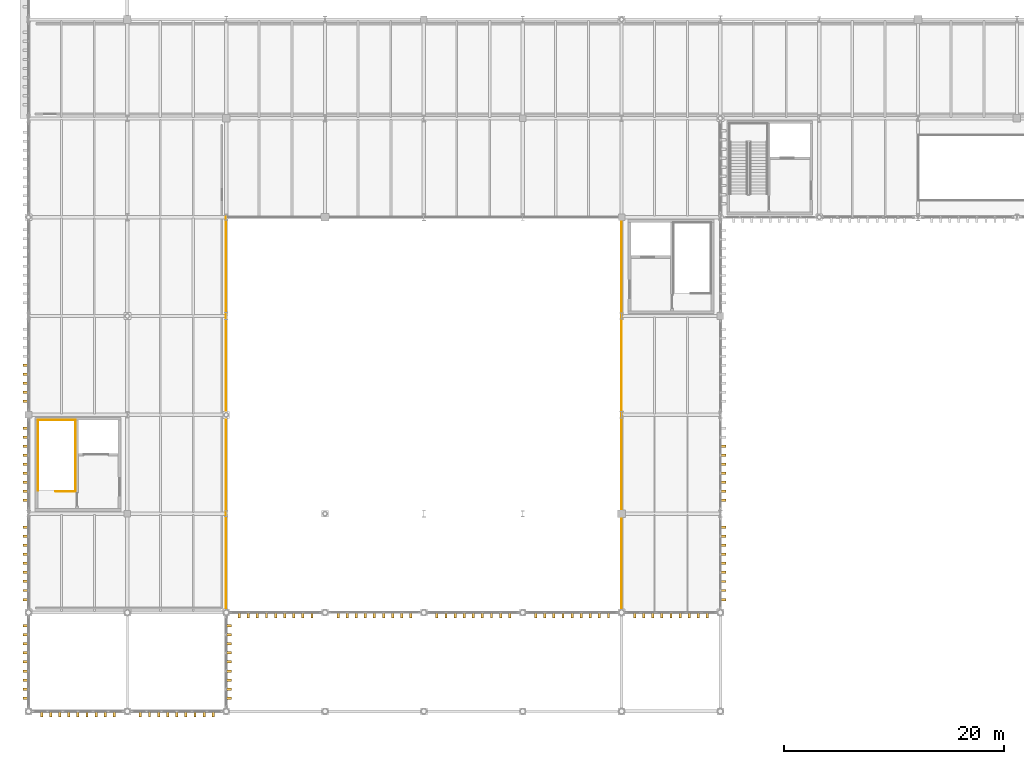
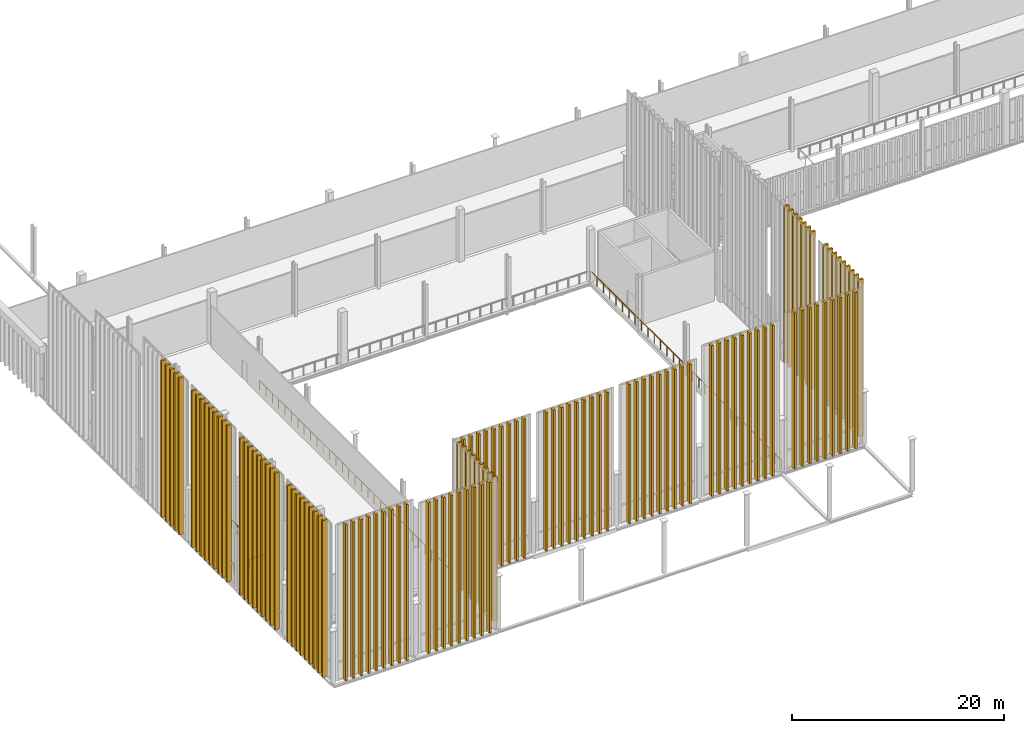
# One storey, part 213 of 237: 120 shading devices, 6 railings.
"""IFC4 building model written with IfcOpenShell, lengths in metres."""

from ifc_helpers import new_model, si_unit, direction, frame, origin, origin_2d, place, context, subcontext, project, spatial, rectangle, circle, extrude, material, type_object, element, save


model = new_model("IFC4")

# Units and contexts
model_context = context("Model", 3, precision=1e-05, world=origin(), true_north=direction((0.0, 1.0)))
body_context = subcontext(model_context, "Body", "Model", "MODEL_VIEW")
ifc_project = project(units=[si_unit("LENGTHUNIT", "METRE"), si_unit("AREAUNIT", "SQUARE_METRE"), si_unit("VOLUMEUNIT", "CUBIC_METRE"), si_unit("PLANEANGLEUNIT", "RADIAN"), si_unit("MASSUNIT", "GRAM", prefix="KILO")], contexts=[model_context])

# Site, building, storey
site_placement = place(None, origin())
site = spatial("IfcSite", under=ifc_project, at=site_placement, CompositionType="ELEMENT")
building_placement = place(site_placement, origin())
building = spatial("IfcBuilding", under=site, at=building_placement, Name="Barlavento Convention Centre", CompositionType="ELEMENT")
storey_placement = place(building_placement, frame((0.0, 0.0, 12.0)))
storey = spatial("IfcBuildingStorey", under=building, at=storey_placement, Name="L02", CompositionType="ELEMENT", Elevation=12.0)

# Railings
ifc_material_1 = material(Name="Stainless steel and laminated glass balustrade", Category="steel")
railing_type = type_object("IfcRailingType", Name="ARC-RAL-BAL-1100", PredefinedType="BALUSTRADE", material=ifc_material_1)
railing_1_placement = place(storey_placement, frame((4.2900390625, 20.0400390625, 0.0)))
element("IfcRailing", 1, at=railing_1_placement, inside=storey, type_object=railing_type, Name="L02 ST01 top well guard 1", PredefinedType="BALUSTRADE", context=body_context, shape_type="SweptSolid", body=[
    extrude(circle(Radius=0.02392578125, at=origin_2d()), frame((0.0, 0.0, 1.076171875), z_axis=(-1.0, 0.0, 0.0), x_axis=(0.0, -1.0, 0.0)), (0.0, 0.0, 1.0), 1.820068359375),
    extrude(circle(Radius=0.02099609375, at=origin_2d()), origin(), (0.0, 0.0, 1.0), 1.052001953125),
    extrude(circle(Radius=0.02099609375, at=origin_2d()), frame((-0.91015625, 0.0, 0.0)), (0.0, 0.0, 1.0), 1.052001953125),
    extrude(circle(Radius=0.02099609375, at=origin_2d()), frame((-1.820068359375, 0.0, 0.0)), (0.0, 0.0, 1.0), 1.052001953125),
])
railing_2_placement = place(storey_placement, frame((4.2900390625, 20.114990234375, 0.0)))
element("IfcRailing", 2, at=railing_2_placement, inside=storey, type_object=railing_type, Name="L02 stairwell perimeter guard GR01", PredefinedType="BALUSTRADE", context=body_context, shape_type="SweptSolid", body=[
    extrude(circle(Radius=0.02392578125, at=origin_2d()), frame((0.0, 0.0, 1.076171875), z_axis=(0.0, 1.0, 0.0), x_axis=(-1.0, 0.0, 0.0)), (0.0, 0.0, 1.0), 6.4150390625),
    extrude(circle(Radius=0.02099609375, at=origin_2d()), origin(), (0.0, 0.0, 1.0), 1.052001953125),
    extrude(circle(Radius=0.02099609375, at=origin_2d()), frame((0.0, 1.069091796875, 0.0)), (0.0, 0.0, 1.0), 1.052001953125),
    extrude(circle(Radius=0.02099609375, at=origin_2d()), frame((0.0, 2.138427734375, 0.0)), (0.0, 0.0, 1.0), 1.052001953125),
    extrude(circle(Radius=0.02099609375, at=origin_2d()), frame((0.0, 3.20751953125, 0.0)), (0.0, 0.0, 1.0), 1.052001953125),
    extrude(circle(Radius=0.02099609375, at=origin_2d()), frame((0.0, 4.276611328125, 0.0)), (0.0, 0.0, 1.0), 1.052001953125),
    extrude(circle(Radius=0.02099609375, at=origin_2d()), frame((0.0, 5.345947265625, 0.0)), (0.0, 0.0, 1.0), 1.052001953125),
    extrude(circle(Radius=0.02099609375, at=origin_2d()), frame((0.0, 6.4150390625, 0.0)), (0.0, 0.0, 1.0), 1.052001953125),
])
railing_3_placement = place(storey_placement, frame((4.2900390625, 26.530029296875, 0.0)))
element("IfcRailing", 3, at=railing_3_placement, inside=storey, type_object=railing_type, Name="L02 stairwell perimeter guard GR01", PredefinedType="BALUSTRADE", context=body_context, shape_type="SweptSolid", body=[
    extrude(circle(Radius=0.02392578125, at=origin_2d()), frame((0.0, 0.0, 1.076171875), z_axis=(-1.0, 0.0, 0.0), x_axis=(0.0, -1.0, 0.0)), (0.0, 0.0, 1.0), 3.43994140625),
    extrude(circle(Radius=0.02099609375, at=origin_2d()), origin(), (0.0, 0.0, 1.0), 1.052001953125),
    extrude(circle(Radius=0.02099609375, at=origin_2d()), frame((-1.146728515625, 0.0, 0.0)), (0.0, 0.0, 1.0), 1.052001953125),
    extrude(circle(Radius=0.02099609375, at=origin_2d()), frame((-2.293212890625, 0.0, 0.0)), (0.0, 0.0, 1.0), 1.052001953125),
    extrude(circle(Radius=0.02099609375, at=origin_2d()), frame((-3.43994140625, 0.0, 0.0)), (0.0, 0.0, 1.0), 1.052001953125),
])
railing_4_placement = place(storey_placement, frame((0.85009765625, 26.530029296875, 0.0)))
element("IfcRailing", 4, at=railing_4_placement, inside=storey, type_object=railing_type, Name="L02 stairwell perimeter guard GR01", PredefinedType="BALUSTRADE", context=body_context, shape_type="SweptSolid", body=[
    extrude(circle(Radius=0.02392578125, at=origin_2d()), frame((0.0, 0.0, 1.076171875), z_axis=(0.0, -1.0, 0.0), x_axis=(1.0, 0.0, 0.0)), (0.0, 0.0, 1.0), 6.4150390625),
    extrude(circle(Radius=0.02099609375, at=origin_2d()), origin(), (0.0, 0.0, 1.0), 1.052001953125),
    extrude(circle(Radius=0.02099609375, at=origin_2d()), frame((0.0, -1.069091796875, 0.0)), (0.0, 0.0, 1.0), 1.052001953125),
    extrude(circle(Radius=0.02099609375, at=origin_2d()), frame((0.0, -2.138427734375, 0.0)), (0.0, 0.0, 1.0), 1.052001953125),
    extrude(circle(Radius=0.02099609375, at=origin_2d()), frame((0.0, -3.20751953125, 0.0)), (0.0, 0.0, 1.0), 1.052001953125),
    extrude(circle(Radius=0.02099609375, at=origin_2d()), frame((0.0, -4.276611328125, 0.0)), (0.0, 0.0, 1.0), 1.052001953125),
    extrude(circle(Radius=0.02099609375, at=origin_2d()), frame((0.0, -5.345947265625, 0.0)), (0.0, 0.0, 1.0), 1.052001953125),
    extrude(circle(Radius=0.02099609375, at=origin_2d()), frame((0.0, -6.4150390625, 0.0)), (0.0, 0.0, 1.0), 1.052001953125),
])
railing_5_placement = place(storey_placement, frame((18.0, 9.050048828125, 0.0)))
element("IfcRailing", 5, at=railing_5_placement, inside=storey, type_object=railing_type, Name="L02 interior atrium or gallery balustrade GR01", PredefinedType="BALUSTRADE", context=body_context, shape_type="SweptSolid", body=[
    extrude(circle(Radius=0.02392578125, at=origin_2d()), frame((0.0, 0.0, 1.076171875), z_axis=(0.0, 1.0, 0.0), x_axis=(-1.0, 0.0, 0.0)), (0.0, 0.0, 1.0), 35.949951171875),
    extrude(circle(Radius=0.02099609375, at=origin_2d()), origin(), (0.0, 0.0, 1.0), 1.052001953125),
    extrude(circle(Radius=0.02099609375, at=origin_2d()), frame((0.0, 1.1982421875, 0.0)), (0.0, 0.0, 1.0), 1.052001953125),
    extrude(circle(Radius=0.02099609375, at=origin_2d()), frame((0.0, 2.396728515625, 0.0)), (0.0, 0.0, 1.0), 1.052001953125),
    extrude(circle(Radius=0.02099609375, at=origin_2d()), frame((0.0, 3.594970703125, 0.0)), (0.0, 0.0, 1.0), 1.052001953125),
    extrude(circle(Radius=0.02099609375, at=origin_2d()), frame((0.0, 4.793212890625, 0.0)), (0.0, 0.0, 1.0), 1.052001953125),
    extrude(circle(Radius=0.02099609375, at=origin_2d()), frame((0.0, 5.99169921875, 0.0)), (0.0, 0.0, 1.0), 1.052001953125),
    extrude(circle(Radius=0.02099609375, at=origin_2d()), frame((0.0, 7.18994140625, 0.0)), (0.0, 0.0, 1.0), 1.052001953125),
    extrude(circle(Radius=0.02099609375, at=origin_2d()), frame((0.0, 8.388427734375, 0.0)), (0.0, 0.0, 1.0), 1.052001953125),
    extrude(circle(Radius=0.02099609375, at=origin_2d()), frame((0.0, 9.586669921875, 0.0)), (0.0, 0.0, 1.0), 1.052001953125),
    extrude(circle(Radius=0.02099609375, at=origin_2d()), frame((0.0, 10.784912109375, 0.0)), (0.0, 0.0, 1.0), 1.052001953125),
    extrude(circle(Radius=0.02099609375, at=origin_2d()), frame((0.0, 11.9833984375, 0.0)), (0.0, 0.0, 1.0), 1.052001953125),
    extrude(circle(Radius=0.02099609375, at=origin_2d()), frame((0.0, 13.181640625, 0.0)), (0.0, 0.0, 1.0), 1.052001953125),
    extrude(circle(Radius=0.02099609375, at=origin_2d()), frame((0.0, 14.3798828125, 0.0)), (0.0, 0.0, 1.0), 1.052001953125),
    extrude(circle(Radius=0.02099609375, at=origin_2d()), frame((0.0, 15.578369140625, 0.0)), (0.0, 0.0, 1.0), 1.052001953125),
    extrude(circle(Radius=0.02099609375, at=origin_2d()), frame((0.0, 16.776611328125, 0.0)), (0.0, 0.0, 1.0), 1.052001953125),
    extrude(circle(Radius=0.02099609375, at=origin_2d()), frame((0.0, 17.97509765625, 0.0)), (0.0, 0.0, 1.0), 1.052001953125),
    extrude(circle(Radius=0.02099609375, at=origin_2d()), frame((0.0, 19.17333984375, 0.0)), (0.0, 0.0, 1.0), 1.052001953125),
    extrude(circle(Radius=0.02099609375, at=origin_2d()), frame((0.0, 20.37158203125, 0.0)), (0.0, 0.0, 1.0), 1.052001953125),
    extrude(circle(Radius=0.02099609375, at=origin_2d()), frame((0.0, 21.570068359375, 0.0)), (0.0, 0.0, 1.0), 1.052001953125),
    extrude(circle(Radius=0.02099609375, at=origin_2d()), frame((0.0, 22.768310546875, 0.0)), (0.0, 0.0, 1.0), 1.052001953125),
    extrude(circle(Radius=0.02099609375, at=origin_2d()), frame((0.0, 23.966552734375, 0.0)), (0.0, 0.0, 1.0), 1.052001953125),
    extrude(circle(Radius=0.02099609375, at=origin_2d()), frame((0.0, 25.1650390625, 0.0)), (0.0, 0.0, 1.0), 1.052001953125),
    extrude(circle(Radius=0.02099609375, at=origin_2d()), frame((0.0, 26.36328125, 0.0)), (0.0, 0.0, 1.0), 1.052001953125),
    extrude(circle(Radius=0.02099609375, at=origin_2d()), frame((0.0, 27.5615234375, 0.0)), (0.0, 0.0, 1.0), 1.052001953125),
    extrude(circle(Radius=0.02099609375, at=origin_2d()), frame((0.0, 28.760009765625, 0.0)), (0.0, 0.0, 1.0), 1.052001953125),
    extrude(circle(Radius=0.02099609375, at=origin_2d()), frame((0.0, 29.958251953125, 0.0)), (0.0, 0.0, 1.0), 1.052001953125),
    extrude(circle(Radius=0.02099609375, at=origin_2d()), frame((0.0, 31.15673828125, 0.0)), (0.0, 0.0, 1.0), 1.052001953125),
    extrude(circle(Radius=0.02099609375, at=origin_2d()), frame((0.0, 32.35498046875, 0.0)), (0.0, 0.0, 1.0), 1.052001953125),
    extrude(circle(Radius=0.02099609375, at=origin_2d()), frame((0.0, 33.55322265625, 0.0)), (0.0, 0.0, 1.0), 1.052001953125),
    extrude(circle(Radius=0.02099609375, at=origin_2d()), frame((0.0, 34.751708984375, 0.0)), (0.0, 0.0, 1.0), 1.052001953125),
    extrude(circle(Radius=0.02099609375, at=origin_2d()), frame((0.0, 35.949951171875, 0.0)), (0.0, 0.0, 1.0), 1.052001953125),
])
railing_6_placement = place(storey_placement, frame((54.0, 45.0, 0.0)))
element("IfcRailing", 6, at=railing_6_placement, inside=storey, type_object=railing_type, Name="L02 interior atrium or gallery balustrade GR01", PredefinedType="BALUSTRADE", context=body_context, shape_type="SweptSolid", body=[
    extrude(circle(Radius=0.02392578125, at=origin_2d()), frame((0.0, 0.0, 1.076171875), z_axis=(0.0, -1.0, 0.0), x_axis=(1.0, 0.0, 0.0)), (0.0, 0.0, 1.0), 35.949951171875),
    extrude(circle(Radius=0.02099609375, at=origin_2d()), origin(), (0.0, 0.0, 1.0), 1.052001953125),
    extrude(circle(Radius=0.02099609375, at=origin_2d()), frame((0.0, -1.1982421875, 0.0)), (0.0, 0.0, 1.0), 1.052001953125),
    extrude(circle(Radius=0.02099609375, at=origin_2d()), frame((0.0, -2.396728515625, 0.0)), (0.0, 0.0, 1.0), 1.052001953125),
    extrude(circle(Radius=0.02099609375, at=origin_2d()), frame((0.0, -3.594970703125, 0.0)), (0.0, 0.0, 1.0), 1.052001953125),
    extrude(circle(Radius=0.02099609375, at=origin_2d()), frame((0.0, -4.793212890625, 0.0)), (0.0, 0.0, 1.0), 1.052001953125),
    extrude(circle(Radius=0.02099609375, at=origin_2d()), frame((0.0, -5.99169921875, 0.0)), (0.0, 0.0, 1.0), 1.052001953125),
    extrude(circle(Radius=0.02099609375, at=origin_2d()), frame((0.0, -7.18994140625, 0.0)), (0.0, 0.0, 1.0), 1.052001953125),
    extrude(circle(Radius=0.02099609375, at=origin_2d()), frame((0.0, -8.388427734375, 0.0)), (0.0, 0.0, 1.0), 1.052001953125),
    extrude(circle(Radius=0.02099609375, at=origin_2d()), frame((0.0, -9.586669921875, 0.0)), (0.0, 0.0, 1.0), 1.052001953125),
    extrude(circle(Radius=0.02099609375, at=origin_2d()), frame((0.0, -10.784912109375, 0.0)), (0.0, 0.0, 1.0), 1.052001953125),
    extrude(circle(Radius=0.02099609375, at=origin_2d()), frame((0.0, -11.9833984375, 0.0)), (0.0, 0.0, 1.0), 1.052001953125),
    extrude(circle(Radius=0.02099609375, at=origin_2d()), frame((0.0, -13.181640625, 0.0)), (0.0, 0.0, 1.0), 1.052001953125),
    extrude(circle(Radius=0.02099609375, at=origin_2d()), frame((0.0, -14.3798828125, 0.0)), (0.0, 0.0, 1.0), 1.052001953125),
    extrude(circle(Radius=0.02099609375, at=origin_2d()), frame((0.0, -15.578369140625, 0.0)), (0.0, 0.0, 1.0), 1.052001953125),
    extrude(circle(Radius=0.02099609375, at=origin_2d()), frame((0.0, -16.776611328125, 0.0)), (0.0, 0.0, 1.0), 1.052001953125),
    extrude(circle(Radius=0.02099609375, at=origin_2d()), frame((0.0, -17.97509765625, 0.0)), (0.0, 0.0, 1.0), 1.052001953125),
    extrude(circle(Radius=0.02099609375, at=origin_2d()), frame((0.0, -19.17333984375, 0.0)), (0.0, 0.0, 1.0), 1.052001953125),
    extrude(circle(Radius=0.02099609375, at=origin_2d()), frame((0.0, -20.37158203125, 0.0)), (0.0, 0.0, 1.0), 1.052001953125),
    extrude(circle(Radius=0.02099609375, at=origin_2d()), frame((0.0, -21.570068359375, 0.0)), (0.0, 0.0, 1.0), 1.052001953125),
    extrude(circle(Radius=0.02099609375, at=origin_2d()), frame((0.0, -22.768310546875, 0.0)), (0.0, 0.0, 1.0), 1.052001953125),
    extrude(circle(Radius=0.02099609375, at=origin_2d()), frame((0.0, -23.966552734375, 0.0)), (0.0, 0.0, 1.0), 1.052001953125),
    extrude(circle(Radius=0.02099609375, at=origin_2d()), frame((0.0, -25.1650390625, 0.0)), (0.0, 0.0, 1.0), 1.052001953125),
    extrude(circle(Radius=0.02099609375, at=origin_2d()), frame((0.0, -26.36328125, 0.0)), (0.0, 0.0, 1.0), 1.052001953125),
    extrude(circle(Radius=0.02099609375, at=origin_2d()), frame((0.0, -27.5615234375, 0.0)), (0.0, 0.0, 1.0), 1.052001953125),
    extrude(circle(Radius=0.02099609375, at=origin_2d()), frame((0.0, -28.760009765625, 0.0)), (0.0, 0.0, 1.0), 1.052001953125),
    extrude(circle(Radius=0.02099609375, at=origin_2d()), frame((0.0, -29.958251953125, 0.0)), (0.0, 0.0, 1.0), 1.052001953125),
    extrude(circle(Radius=0.02099609375, at=origin_2d()), frame((0.0, -31.15673828125, 0.0)), (0.0, 0.0, 1.0), 1.052001953125),
    extrude(circle(Radius=0.02099609375, at=origin_2d()), frame((0.0, -32.35498046875, 0.0)), (0.0, 0.0, 1.0), 1.052001953125),
    extrude(circle(Radius=0.02099609375, at=origin_2d()), frame((0.0, -33.55322265625, 0.0)), (0.0, 0.0, 1.0), 1.052001953125),
    extrude(circle(Radius=0.02099609375, at=origin_2d()), frame((0.0, -34.751708984375, 0.0)), (0.0, 0.0, 1.0), 1.052001953125),
    extrude(circle(Radius=0.02099609375, at=origin_2d()), frame((0.0, -35.949951171875, 0.0)), (0.0, 0.0, 1.0), 1.052001953125),
])

# Shading devices
ifc_material_2 = material(Name="PVDF white extruded aluminium", Category="aluminium")
shading_device_type = type_object("IfcShadingDeviceType", Name="ARC-SHD-FIN-480", PredefinedType="USERDEFINED", material=ifc_material_2)
for number, where, z_axis, x_axis, name in (
    (7, (1.187255859375, -0.239990234375, 0.0), (0.0, 0.0, 1.0), (1.0, 0.0, 0.0), "White vertical solar shading fin VF01"),
    (8, (2.015380859375, -0.239990234375, 0.0), (0.0, 0.0, 1.0), (1.0, 0.0, 0.0), "White vertical solar shading fin VF01"),
    (9, (2.843505859375, -0.239990234375, 0.0), (0.0, 0.0, 1.0), (1.0, 0.0, 0.0), "White vertical solar shading fin VF01"),
    (10, (3.671875, -0.239990234375, 0.0), (0.0, 0.0, 1.0), (1.0, 0.0, 0.0), "White vertical solar shading fin VF01"),
    (11, (4.5, -0.239990234375, 0.0), (0.0, 0.0, 1.0), (1.0, 0.0, 0.0), "White vertical solar shading fin VF01"),
    (12, (5.328125, -0.239990234375, 0.0), (0.0, 0.0, 1.0), (1.0, 0.0, 0.0), "White vertical solar shading fin VF01"),
    (13, (6.156494140625, -0.239990234375, 0.0), (0.0, 0.0, 1.0), (1.0, 0.0, 0.0), "White vertical solar shading fin VF01"),
    (14, (6.984619140625, -0.239990234375, 0.0), (0.0, 0.0, 1.0), (1.0, 0.0, 0.0), "White vertical solar shading fin VF01"),
    (15, (7.812744140625, -0.239990234375, 0.0), (0.0, 0.0, 1.0), (1.0, 0.0, 0.0), "White vertical solar shading fin VF01"),
):
    element("IfcShadingDevice", number, at=place(storey_placement, frame(where, z_axis=z_axis, x_axis=x_axis)), inside=storey, type_object=shading_device_type, Name=name, ObjectType="FIN", PredefinedType="USERDEFINED", context=body_context, shape_type="SweptSolid", body=[
        extrude(rectangle(XDim=0.219970703125, YDim=0.52001953125, at=origin_2d()), origin(), (0.0, 0.0, 1.0), 17.971923828125),
    ])
for number, where, z_axis, x_axis, name in (
    (16, (10.187255859375, -0.239990234375, 0.0), (0.0, 0.0, 1.0), (1.0, 0.0, 0.0), "White vertical solar shading fin VF01"),
    (17, (11.015380859375, -0.239990234375, 0.0), (0.0, 0.0, 1.0), (1.0, 0.0, 0.0), "White vertical solar shading fin VF01"),
    (18, (11.843505859375, -0.239990234375, 0.0), (0.0, 0.0, 1.0), (1.0, 0.0, 0.0), "White vertical solar shading fin VF01"),
    (19, (12.671875, -0.239990234375, 0.0), (0.0, 0.0, 1.0), (1.0, 0.0, 0.0), "White vertical solar shading fin VF01"),
    (20, (13.5, -0.239990234375, 0.0), (0.0, 0.0, 1.0), (1.0, 0.0, 0.0), "White vertical solar shading fin VF01"),
    (21, (14.328125, -0.239990234375, 0.0), (0.0, 0.0, 1.0), (1.0, 0.0, 0.0), "White vertical solar shading fin VF01"),
    (22, (15.156494140625, -0.239990234375, 0.0), (0.0, 0.0, 1.0), (1.0, 0.0, 0.0), "White vertical solar shading fin VF01"),
    (23, (15.984619140625, -0.239990234375, 0.0), (0.0, 0.0, 1.0), (1.0, 0.0, 0.0), "White vertical solar shading fin VF01"),
    (24, (16.812744140625, -0.239990234375, 0.0), (0.0, 0.0, 1.0), (1.0, 0.0, 0.0), "White vertical solar shading fin VF01"),
):
    element("IfcShadingDevice", number, at=place(storey_placement, frame(where, z_axis=z_axis, x_axis=x_axis)), inside=storey, type_object=shading_device_type, Name=name, ObjectType="FIN", PredefinedType="USERDEFINED", context=body_context, shape_type="SweptSolid", body=[
        extrude(rectangle(XDim=0.219970703125, YDim=0.52001953125, at=origin_2d()), origin(), (0.0, 0.0, 1.0), 17.35400390625),
    ])
for number, where, z_axis, x_axis, name in (
    (25, (55.187255859375, 8.760009765625, 0.0), (0.0, 0.0, 1.0), (1.0, 0.0, 0.0), "White vertical solar shading fin VF01"),
    (26, (56.015380859375, 8.760009765625, 0.0), (0.0, 0.0, 1.0), (1.0, 0.0, 0.0), "White vertical solar shading fin VF01"),
    (27, (56.843505859375, 8.760009765625, 0.0), (0.0, 0.0, 1.0), (1.0, 0.0, 0.0), "White vertical solar shading fin VF01"),
    (28, (57.671875, 8.760009765625, 0.0), (0.0, 0.0, 1.0), (1.0, 0.0, 0.0), "White vertical solar shading fin VF01"),
    (29, (58.5, 8.760009765625, 0.0), (0.0, 0.0, 1.0), (1.0, 0.0, 0.0), "White vertical solar shading fin VF01"),
    (30, (59.328125, 8.760009765625, 0.0), (0.0, 0.0, 1.0), (1.0, 0.0, 0.0), "White vertical solar shading fin VF01"),
    (31, (60.156494140625, 8.760009765625, 0.0), (0.0, 0.0, 1.0), (1.0, 0.0, 0.0), "White vertical solar shading fin VF01"),
    (32, (60.984619140625, 8.760009765625, 0.0), (0.0, 0.0, 1.0), (1.0, 0.0, 0.0), "White vertical solar shading fin VF01"),
    (33, (61.812744140625, 8.760009765625, 0.0), (0.0, 0.0, 1.0), (1.0, 0.0, 0.0), "White vertical solar shading fin VF01"),
):
    element("IfcShadingDevice", number, at=place(storey_placement, frame(where, z_axis=z_axis, x_axis=x_axis)), inside=storey, type_object=shading_device_type, Name=name, ObjectType="FIN", PredefinedType="USERDEFINED", context=body_context, shape_type="SweptSolid", body=[
        extrude(rectangle(XDim=0.219970703125, YDim=0.52001953125, at=origin_2d()), origin(), (0.0, 0.0, 1.0), 17.971923828125),
    ])
for number, where, z_axis, x_axis, name in (
    (34, (-0.239990234375, 10.1826171875, 0.0), (0.0, 0.0, 1.0), (0.0, 1.0, 0.0), "White vertical solar shading fin VF01"),
    (35, (-0.239990234375, 11.006103515625, 0.0), (0.0, 0.0, 1.0), (0.0, 1.0, 0.0), "White vertical solar shading fin VF01"),
    (36, (-0.239990234375, 11.829833984375, 0.0), (0.0, 0.0, 1.0), (0.0, 1.0, 0.0), "White vertical solar shading fin VF01"),
    (37, (-0.239990234375, 12.6533203125, 0.0), (0.0, 0.0, 1.0), (0.0, 1.0, 0.0), "White vertical solar shading fin VF01"),
    (38, (-0.239990234375, 13.47705078125, 0.0), (0.0, 0.0, 1.0), (0.0, 1.0, 0.0), "White vertical solar shading fin VF01"),
    (39, (-0.239990234375, 14.300537109375, 0.0), (0.0, 0.0, 1.0), (0.0, 1.0, 0.0), "White vertical solar shading fin VF01"),
    (40, (-0.239990234375, 15.124267578125, 0.0), (0.0, 0.0, 1.0), (0.0, 1.0, 0.0), "White vertical solar shading fin VF01"),
    (41, (-0.239990234375, 15.94775390625, 0.0), (0.0, 0.0, 1.0), (0.0, 1.0, 0.0), "White vertical solar shading fin VF01"),
    (42, (-0.239990234375, 16.771484375, 0.0), (0.0, 0.0, 1.0), (0.0, 1.0, 0.0), "White vertical solar shading fin VF01"),
    (43, (-0.239990234375, 19.22412109375, 0.0), (0.0, 0.0, 1.0), (0.0, 1.0, 0.0), "White vertical solar shading fin VF01"),
    (44, (-0.239990234375, 20.04296875, 0.0), (0.0, 0.0, 1.0), (0.0, 1.0, 0.0), "White vertical solar shading fin VF01"),
    (45, (-0.239990234375, 20.862060546875, 0.0), (0.0, 0.0, 1.0), (0.0, 1.0, 0.0), "White vertical solar shading fin VF01"),
    (46, (-0.239990234375, 21.680908203125, 0.0), (0.0, 0.0, 1.0), (0.0, 1.0, 0.0), "White vertical solar shading fin VF01"),
    (47, (-0.239990234375, 22.5, 0.0), (0.0, 0.0, 1.0), (0.0, 1.0, 0.0), "White vertical solar shading fin VF01"),
    (48, (-0.239990234375, 23.319091796875, 0.0), (0.0, 0.0, 1.0), (0.0, 1.0, 0.0), "White vertical solar shading fin VF01"),
    (49, (-0.239990234375, 24.137939453125, 0.0), (0.0, 0.0, 1.0), (0.0, 1.0, 0.0), "White vertical solar shading fin VF01"),
    (50, (-0.239990234375, 24.95703125, 0.0), (0.0, 0.0, 1.0), (0.0, 1.0, 0.0), "White vertical solar shading fin VF01"),
    (51, (-0.239990234375, 25.77587890625, 0.0), (0.0, 0.0, 1.0), (0.0, 1.0, 0.0), "White vertical solar shading fin VF01"),
    (52, (-0.239990234375, 28.225341796875, 0.0), (0.0, 0.0, 1.0), (0.0, 1.0, 0.0), "White vertical solar shading fin VF01"),
    (53, (-0.239990234375, 29.0458984375, 0.0), (0.0, 0.0, 1.0), (0.0, 1.0, 0.0), "White vertical solar shading fin VF01"),
    (54, (-0.239990234375, 29.8662109375, 0.0), (0.0, 0.0, 1.0), (0.0, 1.0, 0.0), "White vertical solar shading fin VF01"),
    (55, (-0.239990234375, 30.6865234375, 0.0), (0.0, 0.0, 1.0), (0.0, 1.0, 0.0), "White vertical solar shading fin VF01"),
    (56, (-0.239990234375, 31.507080078125, 0.0), (0.0, 0.0, 1.0), (0.0, 1.0, 0.0), "White vertical solar shading fin VF01"),
    (57, (63.239990234375, 10.181640625, 0.0), (0.0, 0.0, 1.0), (0.0, 1.0, 0.0), "White vertical solar shading fin VF01"),
    (58, (63.239990234375, 11.004150390625, 0.0), (0.0, 0.0, 1.0), (0.0, 1.0, 0.0), "White vertical solar shading fin VF01"),
    (59, (63.239990234375, 11.826904296875, 0.0), (0.0, 0.0, 1.0), (0.0, 1.0, 0.0), "White vertical solar shading fin VF01"),
    (60, (63.239990234375, 12.6494140625, 0.0), (0.0, 0.0, 1.0), (0.0, 1.0, 0.0), "White vertical solar shading fin VF01"),
    (61, (63.239990234375, 13.471923828125, 0.0), (0.0, 0.0, 1.0), (0.0, 1.0, 0.0), "White vertical solar shading fin VF01"),
    (62, (63.239990234375, 14.294677734375, 0.0), (0.0, 0.0, 1.0), (0.0, 1.0, 0.0), "White vertical solar shading fin VF01"),
    (63, (63.239990234375, 15.1171875, 0.0), (0.0, 0.0, 1.0), (0.0, 1.0, 0.0), "White vertical solar shading fin VF01"),
    (64, (63.239990234375, 15.939697265625, 0.0), (0.0, 0.0, 1.0), (0.0, 1.0, 0.0), "White vertical solar shading fin VF01"),
    (65, (63.239990234375, 16.762451171875, 0.0), (0.0, 0.0, 1.0), (0.0, 1.0, 0.0), "White vertical solar shading fin VF01"),
    (66, (63.239990234375, 19.23291015625, 0.0), (0.0, 0.0, 1.0), (0.0, 1.0, 0.0), "White vertical solar shading fin VF01"),
    (67, (63.239990234375, 20.051025390625, 0.0), (0.0, 0.0, 1.0), (0.0, 1.0, 0.0), "White vertical solar shading fin VF01"),
    (68, (63.239990234375, 20.868896484375, 0.0), (0.0, 0.0, 1.0), (0.0, 1.0, 0.0), "White vertical solar shading fin VF01"),
    (69, (63.239990234375, 21.68701171875, 0.0), (0.0, 0.0, 1.0), (0.0, 1.0, 0.0), "White vertical solar shading fin VF01"),
    (70, (63.239990234375, 22.5048828125, 0.0), (0.0, 0.0, 1.0), (0.0, 1.0, 0.0), "White vertical solar shading fin VF01"),
    (71, (63.239990234375, 23.322998046875, 0.0), (0.0, 0.0, 1.0), (0.0, 1.0, 0.0), "White vertical solar shading fin VF01"),
    (72, (63.239990234375, 24.14111328125, 0.0), (0.0, 0.0, 1.0), (0.0, 1.0, 0.0), "White vertical solar shading fin VF01"),
):
    element("IfcShadingDevice", number, at=place(storey_placement, frame(where, z_axis=z_axis, x_axis=x_axis)), inside=storey, type_object=shading_device_type, Name=name, ObjectType="FIN", PredefinedType="USERDEFINED", context=body_context, shape_type="SweptSolid", body=[
        extrude(rectangle(XDim=0.219970703125, YDim=0.52001953125, at=origin_2d()), origin(), (0.0, 0.0, 1.0), 18.037109375),
    ])
for number, where, z_axis, x_axis, name in (
    (73, (19.187255859375, 8.760009765625, 0.0), (0.0, 0.0, 1.0), (1.0, 0.0, 0.0), "White vertical solar shading fin VF01"),
    (74, (20.015380859375, 8.760009765625, 0.0), (0.0, 0.0, 1.0), (1.0, 0.0, 0.0), "White vertical solar shading fin VF01"),
    (75, (20.843505859375, 8.760009765625, 0.0), (0.0, 0.0, 1.0), (1.0, 0.0, 0.0), "White vertical solar shading fin VF01"),
    (76, (21.671875, 8.760009765625, 0.0), (0.0, 0.0, 1.0), (1.0, 0.0, 0.0), "White vertical solar shading fin VF01"),
    (77, (22.5, 8.760009765625, 0.0), (0.0, 0.0, 1.0), (1.0, 0.0, 0.0), "White vertical solar shading fin VF01"),
    (78, (23.328125, 8.760009765625, 0.0), (0.0, 0.0, 1.0), (1.0, 0.0, 0.0), "White vertical solar shading fin VF01"),
    (79, (24.156494140625, 8.760009765625, 0.0), (0.0, 0.0, 1.0), (1.0, 0.0, 0.0), "White vertical solar shading fin VF01"),
    (80, (24.984619140625, 8.760009765625, 0.0), (0.0, 0.0, 1.0), (1.0, 0.0, 0.0), "White vertical solar shading fin VF01"),
    (81, (25.812744140625, 8.760009765625, 0.0), (0.0, 0.0, 1.0), (1.0, 0.0, 0.0), "White vertical solar shading fin VF01"),
):
    element("IfcShadingDevice", number, at=place(storey_placement, frame(where, z_axis=z_axis, x_axis=x_axis)), inside=storey, type_object=shading_device_type, Name=name, ObjectType="FIN", PredefinedType="USERDEFINED", context=body_context, shape_type="SweptSolid", body=[
        extrude(rectangle(XDim=0.219970703125, YDim=0.52001953125, at=origin_2d()), origin(), (0.0, 0.0, 1.0), 16.037109375),
    ])
for number, where, z_axis, x_axis, name in (
    (82, (28.187255859375, 8.760009765625, 0.0), (0.0, 0.0, 1.0), (1.0, 0.0, 0.0), "White vertical solar shading fin VF01"),
    (83, (29.015380859375, 8.760009765625, 0.0), (0.0, 0.0, 1.0), (1.0, 0.0, 0.0), "White vertical solar shading fin VF01"),
    (84, (29.843505859375, 8.760009765625, 0.0), (0.0, 0.0, 1.0), (1.0, 0.0, 0.0), "White vertical solar shading fin VF01"),
    (85, (30.671875, 8.760009765625, 0.0), (0.0, 0.0, 1.0), (1.0, 0.0, 0.0), "White vertical solar shading fin VF01"),
    (86, (31.5, 8.760009765625, 0.0), (0.0, 0.0, 1.0), (1.0, 0.0, 0.0), "White vertical solar shading fin VF01"),
    (87, (32.328125, 8.760009765625, 0.0), (0.0, 0.0, 1.0), (1.0, 0.0, 0.0), "White vertical solar shading fin VF01"),
    (88, (33.156494140625, 8.760009765625, 0.0), (0.0, 0.0, 1.0), (1.0, 0.0, 0.0), "White vertical solar shading fin VF01"),
    (89, (33.984619140625, 8.760009765625, 0.0), (0.0, 0.0, 1.0), (1.0, 0.0, 0.0), "White vertical solar shading fin VF01"),
    (90, (34.812744140625, 8.760009765625, 0.0), (0.0, 0.0, 1.0), (1.0, 0.0, 0.0), "White vertical solar shading fin VF01"),
):
    element("IfcShadingDevice", number, at=place(storey_placement, frame(where, z_axis=z_axis, x_axis=x_axis)), inside=storey, type_object=shading_device_type, Name=name, ObjectType="FIN", PredefinedType="USERDEFINED", context=body_context, shape_type="SweptSolid", body=[
        extrude(rectangle(XDim=0.219970703125, YDim=0.52001953125, at=origin_2d()), origin(), (0.0, 0.0, 1.0), 15.949951171875),
    ])
for number, where, z_axis, x_axis, name in (
    (91, (37.187255859375, 8.760009765625, 0.0), (0.0, 0.0, 1.0), (1.0, 0.0, 0.0), "White vertical solar shading fin VF01"),
    (92, (38.015380859375, 8.760009765625, 0.0), (0.0, 0.0, 1.0), (1.0, 0.0, 0.0), "White vertical solar shading fin VF01"),
    (93, (38.843505859375, 8.760009765625, 0.0), (0.0, 0.0, 1.0), (1.0, 0.0, 0.0), "White vertical solar shading fin VF01"),
    (94, (39.671875, 8.760009765625, 0.0), (0.0, 0.0, 1.0), (1.0, 0.0, 0.0), "White vertical solar shading fin VF01"),
    (95, (40.5, 8.760009765625, 0.0), (0.0, 0.0, 1.0), (1.0, 0.0, 0.0), "White vertical solar shading fin VF01"),
    (96, (41.328125, 8.760009765625, 0.0), (0.0, 0.0, 1.0), (1.0, 0.0, 0.0), "White vertical solar shading fin VF01"),
    (97, (42.156494140625, 8.760009765625, 0.0), (0.0, 0.0, 1.0), (1.0, 0.0, 0.0), "White vertical solar shading fin VF01"),
    (98, (42.984619140625, 8.760009765625, 0.0), (0.0, 0.0, 1.0), (1.0, 0.0, 0.0), "White vertical solar shading fin VF01"),
    (99, (43.812744140625, 8.760009765625, 0.0), (0.0, 0.0, 1.0), (1.0, 0.0, 0.0), "White vertical solar shading fin VF01"),
):
    element("IfcShadingDevice", number, at=place(storey_placement, frame(where, z_axis=z_axis, x_axis=x_axis)), inside=storey, type_object=shading_device_type, Name=name, ObjectType="FIN", PredefinedType="USERDEFINED", context=body_context, shape_type="SweptSolid", body=[
        extrude(rectangle(XDim=0.219970703125, YDim=0.52001953125, at=origin_2d()), origin(), (0.0, 0.0, 1.0), 16.037109375),
    ])
for number, where, z_axis, x_axis, name in (
    (100, (46.187255859375, 8.760009765625, 0.0), (0.0, 0.0, 1.0), (1.0, 0.0, 0.0), "White vertical solar shading fin VF01"),
    (101, (47.015380859375, 8.760009765625, 0.0), (0.0, 0.0, 1.0), (1.0, 0.0, 0.0), "White vertical solar shading fin VF01"),
    (102, (47.843505859375, 8.760009765625, 0.0), (0.0, 0.0, 1.0), (1.0, 0.0, 0.0), "White vertical solar shading fin VF01"),
    (103, (48.671875, 8.760009765625, 0.0), (0.0, 0.0, 1.0), (1.0, 0.0, 0.0), "White vertical solar shading fin VF01"),
    (104, (49.5, 8.760009765625, 0.0), (0.0, 0.0, 1.0), (1.0, 0.0, 0.0), "White vertical solar shading fin VF01"),
    (105, (50.328125, 8.760009765625, 0.0), (0.0, 0.0, 1.0), (1.0, 0.0, 0.0), "White vertical solar shading fin VF01"),
    (106, (51.156494140625, 8.760009765625, 0.0), (0.0, 0.0, 1.0), (1.0, 0.0, 0.0), "White vertical solar shading fin VF01"),
    (107, (51.984619140625, 8.760009765625, 0.0), (0.0, 0.0, 1.0), (1.0, 0.0, 0.0), "White vertical solar shading fin VF01"),
    (108, (52.812744140625, 8.760009765625, 0.0), (0.0, 0.0, 1.0), (1.0, 0.0, 0.0), "White vertical solar shading fin VF01"),
):
    element("IfcShadingDevice", number, at=place(storey_placement, frame(where, z_axis=z_axis, x_axis=x_axis)), inside=storey, type_object=shading_device_type, Name=name, ObjectType="FIN", PredefinedType="USERDEFINED", context=body_context, shape_type="SweptSolid", body=[
        extrude(rectangle(XDim=0.219970703125, YDim=0.52001953125, at=origin_2d()), origin(), (0.0, 0.0, 1.0), 17.35400390625),
    ])
for number, where, z_axis, x_axis, name in (
    (109, (-0.239990234375, 1.187255859375, 0.0), (0.0, 0.0, 1.0), (0.0, 1.0, 0.0), "White vertical solar shading fin VF01"),
    (110, (-0.239990234375, 2.015380859375, 0.0), (0.0, 0.0, 1.0), (0.0, 1.0, 0.0), "White vertical solar shading fin VF01"),
    (111, (-0.239990234375, 2.843505859375, 0.0), (0.0, 0.0, 1.0), (0.0, 1.0, 0.0), "White vertical solar shading fin VF01"),
    (112, (-0.239990234375, 3.671875, 0.0), (0.0, 0.0, 1.0), (0.0, 1.0, 0.0), "White vertical solar shading fin VF01"),
    (113, (-0.239990234375, 4.5, 0.0), (0.0, 0.0, 1.0), (0.0, 1.0, 0.0), "White vertical solar shading fin VF01"),
    (114, (-0.239990234375, 5.328125, 0.0), (0.0, 0.0, 1.0), (0.0, 1.0, 0.0), "White vertical solar shading fin VF01"),
    (115, (-0.239990234375, 6.156494140625, 0.0), (0.0, 0.0, 1.0), (0.0, 1.0, 0.0), "White vertical solar shading fin VF01"),
    (116, (-0.239990234375, 6.984619140625, 0.0), (0.0, 0.0, 1.0), (0.0, 1.0, 0.0), "White vertical solar shading fin VF01"),
    (117, (-0.239990234375, 7.812744140625, 0.0), (0.0, 0.0, 1.0), (0.0, 1.0, 0.0), "White vertical solar shading fin VF01"),
):
    element("IfcShadingDevice", number, at=place(storey_placement, frame(where, z_axis=z_axis, x_axis=x_axis)), inside=storey, type_object=shading_device_type, Name=name, ObjectType="FIN", PredefinedType="USERDEFINED", context=body_context, shape_type="SweptSolid", body=[
        extrude(rectangle(XDim=0.219970703125, YDim=0.52001953125, at=origin_2d()), origin(), (0.0, 0.0, 1.0), 18.037109375),
    ])
for number, where, z_axis, x_axis, name in (
    (118, (18.239990234375, 1.187255859375, 0.0), (0.0, 0.0, 1.0), (0.0, 1.0, 0.0), "White vertical solar shading fin VF01"),
    (119, (18.239990234375, 2.015380859375, 0.0), (0.0, 0.0, 1.0), (0.0, 1.0, 0.0), "White vertical solar shading fin VF01"),
    (120, (18.239990234375, 2.843505859375, 0.0), (0.0, 0.0, 1.0), (0.0, 1.0, 0.0), "White vertical solar shading fin VF01"),
    (121, (18.239990234375, 3.671875, 0.0), (0.0, 0.0, 1.0), (0.0, 1.0, 0.0), "White vertical solar shading fin VF01"),
    (122, (18.239990234375, 4.5, 0.0), (0.0, 0.0, 1.0), (0.0, 1.0, 0.0), "White vertical solar shading fin VF01"),
    (123, (18.239990234375, 5.328125, 0.0), (0.0, 0.0, 1.0), (0.0, 1.0, 0.0), "White vertical solar shading fin VF01"),
    (124, (18.239990234375, 6.156494140625, 0.0), (0.0, 0.0, 1.0), (0.0, 1.0, 0.0), "White vertical solar shading fin VF01"),
    (125, (18.239990234375, 6.984619140625, 0.0), (0.0, 0.0, 1.0), (0.0, 1.0, 0.0), "White vertical solar shading fin VF01"),
    (126, (18.239990234375, 7.812744140625, 0.0), (0.0, 0.0, 1.0), (0.0, 1.0, 0.0), "White vertical solar shading fin VF01"),
):
    element("IfcShadingDevice", number, at=place(storey_placement, frame(where, z_axis=z_axis, x_axis=x_axis)), inside=storey, type_object=shading_device_type, Name=name, ObjectType="FIN", PredefinedType="USERDEFINED", context=body_context, shape_type="SweptSolid", body=[
        extrude(rectangle(XDim=0.219970703125, YDim=0.52001953125, at=origin_2d()), origin(), (0.0, 0.0, 1.0), 16.493896484375),
    ])

save(model, "model.ifc")
